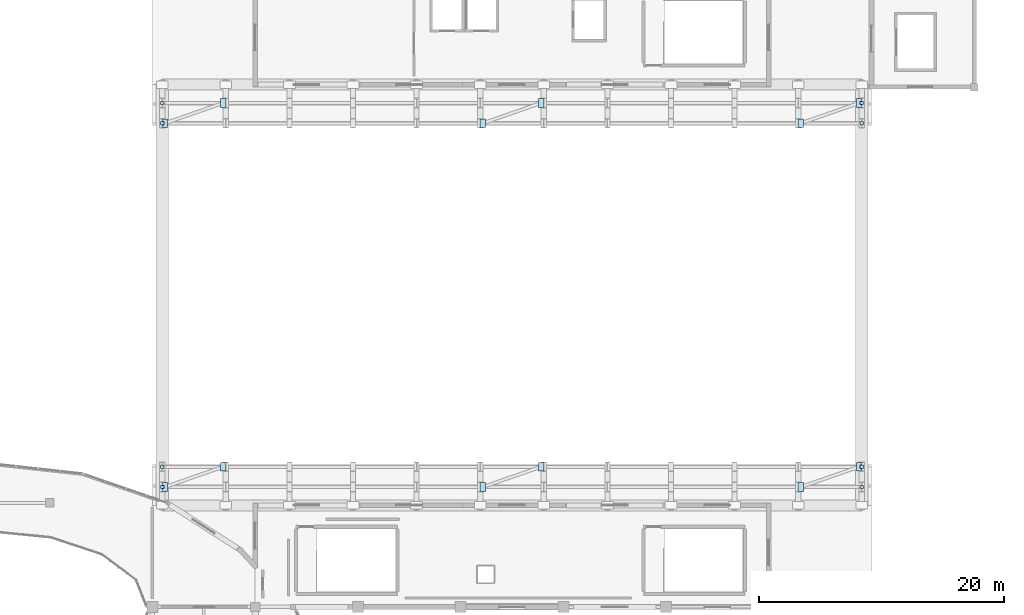
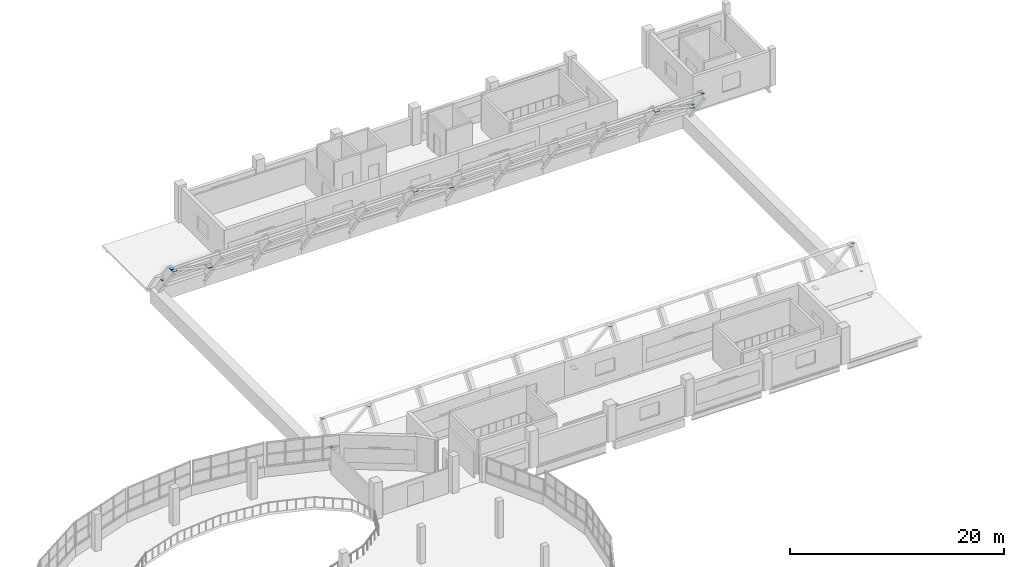
# One storey, part 38 of 52: 20 plates.
"""IFC4 building model written with IfcOpenShell, lengths in metres."""

from ifc_helpers import new_model, si_unit, direction, frame, origin, origin_2d, place, context, subcontext, project, spatial, rectangle, extrude, material, layer, layer_set, type_object, element, save


model = new_model("IFC4")

# Units and contexts
model_context = context("Model", 3, precision=1e-05, world=origin(), true_north=direction((0.0, 1.0)))
body_context = subcontext(model_context, "Body", "Model", "MODEL_VIEW")
ifc_project = project(units=[si_unit("LENGTHUNIT", "METRE"), si_unit("AREAUNIT", "SQUARE_METRE"), si_unit("VOLUMEUNIT", "CUBIC_METRE"), si_unit("PLANEANGLEUNIT", "RADIAN"), si_unit("MASSUNIT", "GRAM", prefix="KILO")], contexts=[model_context])

# Site, building, storey
site_placement = place(None, origin())
site = spatial("IfcSite", under=ifc_project, at=site_placement, CompositionType="ELEMENT")
building_placement = place(site_placement, origin())
building = spatial("IfcBuilding", under=site, at=building_placement, Name="Solvento Point Concert Hall", CompositionType="ELEMENT")
storey_placement = place(building_placement, frame((0.0, 0.0, 19.5)))
storey = spatial("IfcBuildingStorey", under=building, at=storey_placement, Name="L04", CompositionType="ELEMENT", Elevation=19.5)

# Plates
ifc_material_1 = material(Name="Structural Steel ASTM A572 Grade 50", Category="steel")
ifc_layer_1 = layer(ifc_material_1, 0.02197265625)
ifc_layer_set_1 = layer_set([ifc_layer_1], Name="Structural Steel ASTM A572 Grade 50")
plate_type_1 = type_object("IfcPlateType", Name="CapPlate_CHS273", PredefinedType="SHEET", material=ifc_layer_set_1)
for number, where, z_axis, x_axis, name in (
    (1, (75.215087890625, 53.956298828125, 3.975830078125), (0.0, 0.0, 1.0), (0.0, 1.0, 0.0), "Hollow purlin end-cap plate PL-22"),
    (2, (75.215087890625, 82.043701171875, 3.975830078125), (0.0, 0.0, 1.0), (0.0, 1.0, 0.0), "Hollow purlin end-cap plate PL-22"),
    (3, (132.385009765625, 53.956298828125, 3.975830078125), (0.0, 0.0, 1.0), (0.0, 1.0, 0.0), "Hollow purlin end-cap plate PL-22"),
    (4, (132.385009765625, 82.043701171875, 3.975830078125), (0.0, 0.0, 1.0), (0.0, 1.0, 0.0), "Hollow purlin end-cap plate PL-22"),
):
    element("IfcPlate", number, at=place(storey_placement, frame(where, z_axis=z_axis, x_axis=x_axis)), inside=storey, type_object=plate_type_1, Name=name, PredefinedType="SHEET", context=body_context, shape_type="SweptSolid", body=[
        extrude(rectangle(XDim=0.300048828125, YDim=0.300048828125, at=origin_2d()), origin(), (0.0, 0.0, 1.0), 0.02197265625),
    ])
ifc_material_2 = material(Name="Structural Steel ASTM A572 Grade 50", Category="steel")
ifc_layer_2 = layer(ifc_material_2, 0.02001953125)
ifc_layer_set_2 = layer_set([ifc_layer_2], Name="Structural Steel ASTM A572 Grade 50")
plate_type_2 = type_object("IfcPlateType", Name="CapPlate_HSS10", PredefinedType="SHEET", material=ifc_layer_set_2)
for number, where, z_axis, x_axis, name in (
    (5, (75.215087890625, 52.298583984375, 1.743408203125), (0.0, 0.0, 1.0), (0.0, 1.0, 0.0), "Hollow purlin end-cap plate PL-20"),
    (6, (75.215087890625, 83.701416015625, 1.743408203125), (0.0, 0.0, 1.0), (0.0, 1.0, 0.0), "Hollow purlin end-cap plate PL-20"),
    (7, (132.385009765625, 52.298583984375, 1.743408203125), (0.0, 0.0, 1.0), (0.0, 1.0, 0.0), "Hollow purlin end-cap plate PL-20"),
    (8, (132.385009765625, 83.701416015625, 1.743408203125), (0.0, 0.0, 1.0), (0.0, 1.0, 0.0), "Hollow purlin end-cap plate PL-20"),
):
    element("IfcPlate", number, at=place(storey_placement, frame(where, z_axis=z_axis, x_axis=x_axis)), inside=storey, type_object=plate_type_2, Name=name, PredefinedType="SHEET", context=body_context, shape_type="SweptSolid", body=[
        extrude(rectangle(XDim=0.280029296875, YDim=0.280029296875, at=origin_2d()), origin(), (0.0, 0.0, 1.0), 0.02001953125),
    ])
ifc_material_3 = material(Name="Structural Steel ASTM A572 Grade 50", Category="steel")
ifc_layer_3 = layer(ifc_material_3, 0.02490234375)
ifc_layer_set_3 = layer_set([ifc_layer_3], Name="Structural Steel ASTM A572 Grade 50")
plate_type_3 = type_object("IfcPlateType", Name="NodePlate_AR03", PredefinedType="SHEET", material=ifc_layer_set_3)
for number, where, z_axis, x_axis, name in (
    (9, (75.41162109375, 52.298583984375, 1.57080078125), (0.0, 0.0, 1.0), (0.0, 1.0, 0.0), "Shell lateral brace gusset node ND-AR03"),
    (10, (80.1884765625, 53.956298828125, 3.80419921875), (0.0, 0.0, 1.0), (0.0, 1.0, 0.0), "Shell lateral brace gusset node ND-AR03"),
    (11, (75.41162109375, 82.043701171875, 3.80419921875), (0.0, 0.0, 1.0), (0.0, 1.0, 0.0), "Shell lateral brace gusset node ND-AR03"),
    (12, (80.1884765625, 83.701416015625, 1.57080078125), (0.0, 0.0, 1.0), (0.0, 1.0, 0.0), "Shell lateral brace gusset node ND-AR03"),
    (13, (101.41162109375, 52.298583984375, 1.57080078125), (0.0, 0.0, 1.0), (0.0, 1.0, 0.0), "Shell lateral brace gusset node ND-AR03"),
    (14, (106.1884765625, 53.956298828125, 3.80419921875), (0.0, 0.0, 1.0), (0.0, 1.0, 0.0), "Shell lateral brace gusset node ND-AR03"),
    (15, (101.41162109375, 82.043701171875, 3.80419921875), (0.0, 0.0, 1.0), (0.0, 1.0, 0.0), "Shell lateral brace gusset node ND-AR03"),
    (16, (106.1884765625, 83.701416015625, 1.57080078125), (0.0, 0.0, 1.0), (0.0, 1.0, 0.0), "Shell lateral brace gusset node ND-AR03"),
    (17, (127.41162109375, 52.298583984375, 1.57080078125), (0.0, 0.0, 1.0), (0.0, 1.0, 0.0), "Shell lateral brace gusset node ND-AR03"),
    (18, (132.1884765625, 53.956298828125, 3.80419921875), (0.0, 0.0, 1.0), (0.0, 1.0, 0.0), "Shell lateral brace gusset node ND-AR03"),
    (19, (127.41162109375, 82.043701171875, 3.80419921875), (0.0, 0.0, 1.0), (0.0, 1.0, 0.0), "Shell lateral brace gusset node ND-AR03"),
    (20, (132.1884765625, 83.701416015625, 1.57080078125), (0.0, 0.0, 1.0), (0.0, 1.0, 0.0), "Shell lateral brace gusset node ND-AR03"),
):
    element("IfcPlate", number, at=place(storey_placement, frame(where, z_axis=z_axis, x_axis=x_axis)), inside=storey, type_object=plate_type_3, Name=name, PredefinedType="SHEET", context=body_context, shape_type="SweptSolid", body=[
        extrude(rectangle(XDim=0.719970703125, YDim=0.47998046875, at=origin_2d()), origin(), (0.0, 0.0, 1.0), 0.02490234375),
    ])

save(model, "model.ifc")
